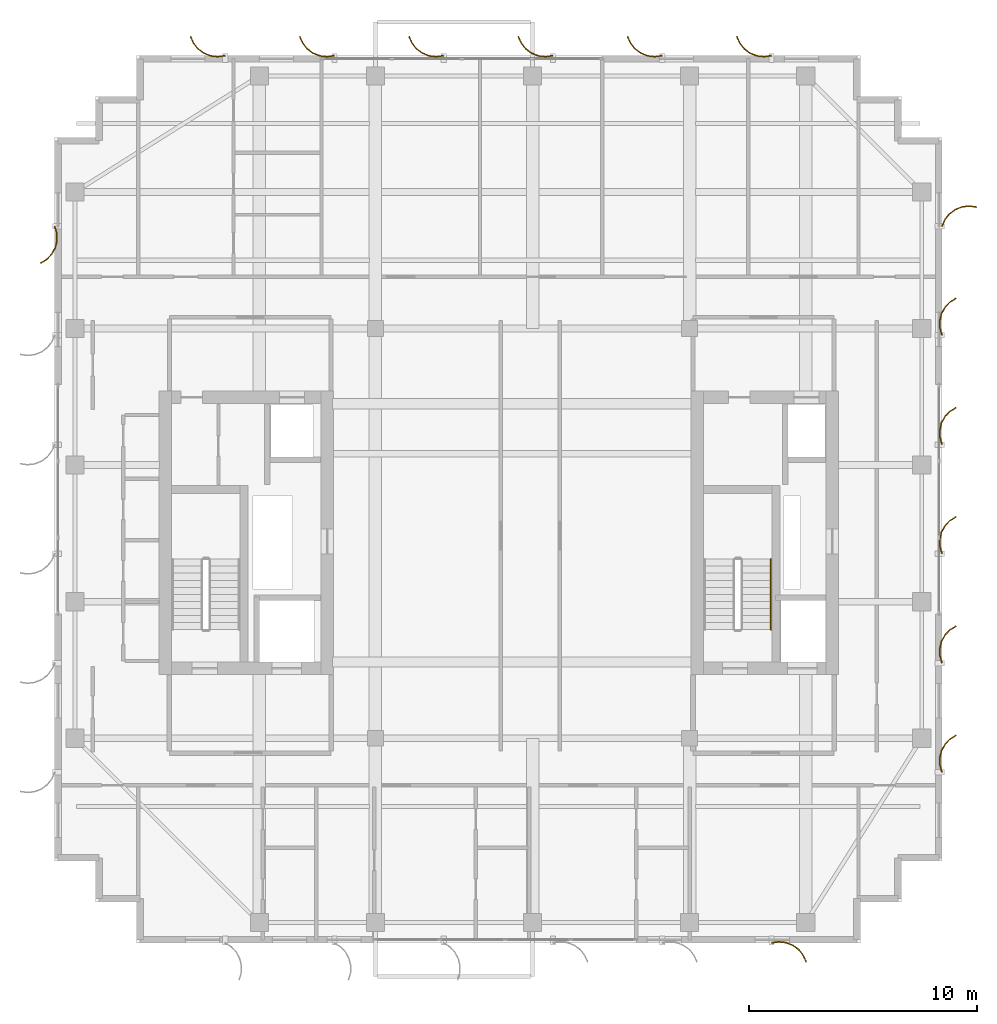
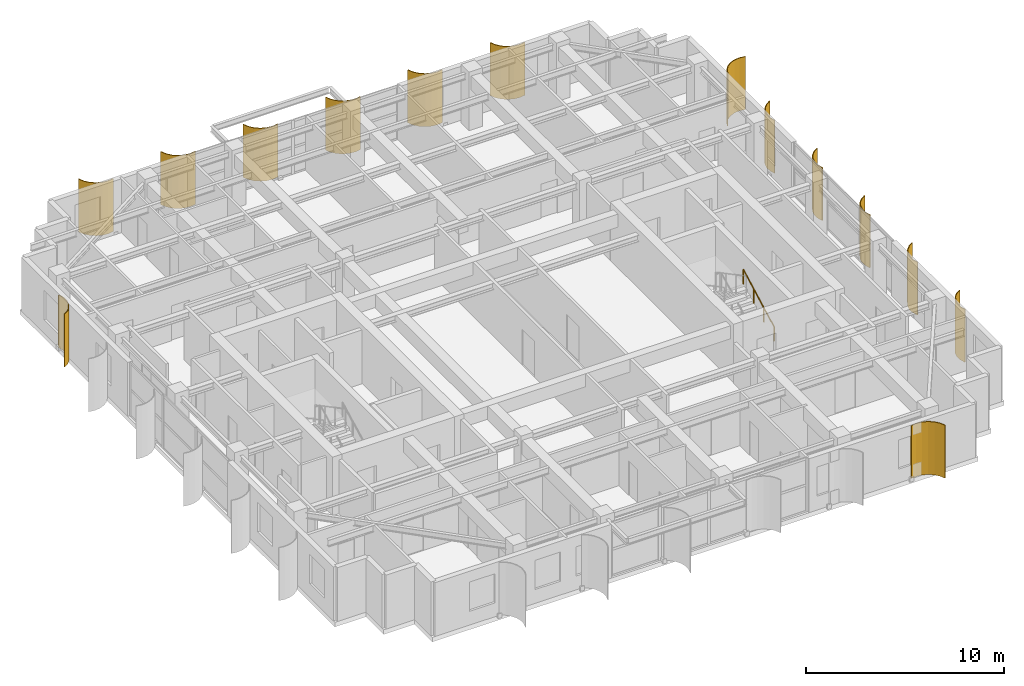
# One storey, part 23 of 23: 14 shading devices, 1 railing.
"""IFC4 building model written with IfcOpenShell, lengths in metres."""

from ifc_helpers import new_model, si_unit, direction, frame, origin, origin_2d, place, context, subcontext, project, spatial, polyline, circle, outline, extrude, source, transform, mapped, material, layer, layer_set, type_object, element, save


model = new_model("IFC4")

# Units and contexts
model_context = context("Model", 3, precision=1e-05, world=origin(), true_north=direction((0.0, 1.0)))
body_context = subcontext(model_context, "Body", "Model", "MODEL_VIEW")
ifc_project = project(units=[si_unit("LENGTHUNIT", "METRE"), si_unit("AREAUNIT", "SQUARE_METRE"), si_unit("VOLUMEUNIT", "CUBIC_METRE"), si_unit("PLANEANGLEUNIT", "RADIAN"), si_unit("MASSUNIT", "GRAM", prefix="KILO")], contexts=[model_context])

# Site, building, storey
site_placement = place(None, origin())
site = spatial("IfcSite", under=ifc_project, at=site_placement, CompositionType="ELEMENT")
building_placement = place(site_placement, origin())
building = spatial("IfcBuilding", under=site, at=building_placement, Name="Khoralis Quay Care Tower", CompositionType="ELEMENT")
storey_placement = place(building_placement, frame((0.0, 0.0, 270.89990234375)))
storey = spatial("IfcBuildingStorey", under=building, at=storey_placement, Name="L71", CompositionType="ELEMENT", Elevation=270.89990234375)

# Railing
ifc_material_1 = material(Name="Brushed stainless steel", Category="steel")
railing_type = type_object("IfcRailingType", Name="RL-HAND-900", PredefinedType="HANDRAIL", material=ifc_material_1)
railing_placement = place(storey_placement, frame((34.469970703125, 16.77001953125, 0.163818359375)))
element("IfcRailing", 1, at=railing_placement, inside=storey, type_object=railing_type, Name="L71 ST-T2 stair handrail 1", PredefinedType="HANDRAIL", context=body_context, shape_type="SweptSolid", body=[
    extrude(circle(Radius=0.02392578125, at=origin_2d()), frame((0.0, 0.0, 0.8759765625), z_axis=(0.0, 0.884376766648, 0.46677375099), x_axis=(-1.0, 0.0, 0.0)), (0.0, 0.0, 1.0), 3.50537109375),
    extrude(circle(Radius=0.02099609375, at=origin_2d()), origin(), (0.0, 0.0, 1.0), 0.851806640625),
    extrude(circle(Radius=0.02099609375, at=origin_2d()), frame((0.0, 1.033447265625, 0.54541015625)), (0.0, 0.0, 1.0), 0.851806640625),
    extrude(circle(Radius=0.02099609375, at=origin_2d()), frame((0.0, 2.066650390625, 1.0908203125)), (0.0, 0.0, 1.0), 0.851806640625),
    extrude(circle(Radius=0.02099609375, at=origin_2d()), frame((0.0, 3.10009765625, 1.63623046875)), (0.0, 0.0, 1.0), 0.851806640625),
])

# Shading devices
ifc_material_2 = material(Name="Brushed pale anodised aluminium", Category="aluminium")
ifc_layer = layer(ifc_material_2, 0.044921875)
ifc_layer_set = layer_set([ifc_layer], Name="Brushed pale anodised aluminium")
shading_device_type = type_object("IfcShadingDeviceType", Name="SHD-FIN-1250", PredefinedType="USERDEFINED", material=ifc_layer_set)
shared_shape_1 = source(origin(), body_context, "Body", "SweptSolid", [
    extrude(outline(polyline([(0.0, 0.0), (0.130126953125, 0.29931640625), (0.333251953125, 0.5546875), (0.595458984375, 0.748779296875), (0.899169921875, 0.868408203125), (1.223388671875, 0.9052734375), (1.546142578125, 0.85693359375), (1.53369140625, 0.813720703125), (1.22265625, 0.8603515625), (0.91015625, 0.82470703125), (0.617431640625, 0.70947265625), (0.364501953125, 0.522216796875), (0.168701171875, 0.276123046875), (0.043212890625, -0.012451171875), (0.0, 0.0)])), origin(), (0.0, 0.0, 1.0), 3.260009765625),
])
shading_device_placement = place(storey_placement, frame((41.969970703125, 34.5, 0.02001953125), z_axis=(0.0, 0.0, 1.0), x_axis=(1.0, 0.0, 0.0)))
element("IfcShadingDevice", 2, at=shading_device_placement, inside=storey, type_object=shading_device_type, Name="L71 Curved Solar Fin P1E5-06", ObjectType="FIN", PredefinedType="USERDEFINED", context=body_context, shape_type="MappedRepresentation", body=[
    mapped(shared_shape_1, transform((0.0, 0.0, 0.0), scale=1.0)),
])
shared_shape_2 = source(origin(), body_context, "Body", "SweptSolid", [
    extrude(outline(polyline([(0.0, 0.0), (-0.04833984375, 0.32275390625), (-0.01123046875, 0.64697265625), (0.1083984375, 0.950439453125), (0.302490234375, 1.212890625), (0.557861328125, 1.416015625), (0.85693359375, 1.546142578125), (0.869384765625, 1.5029296875), (0.5810546875, 1.37744140625), (0.334716796875, 1.181640625), (0.147705078125, 0.9287109375), (0.032470703125, 0.635986328125), (-0.003173828125, 0.323486328125), (0.043212890625, 0.012451171875), (0.0, 0.0)])), origin(), (0.0, 0.0, 1.0), 3.260009765625),
])
for number, where, z_axis, x_axis, name in (
    (3, (34.5, 3.030029296875, 0.02001953125), (0.0, 0.0, 1.0), (0.0, -1.0, 0.0), "L71 Curved Solar Fin P1E0-06"),
    (4, (34.5, 41.969970703125, 0.02001953125), (0.0, 0.0, 1.0), (0.0, 1.0, 0.0), "L71 Curved Solar Fin P1E10-01"),
    (5, (29.699951171875, 41.969970703125, 0.02001953125), (0.0, 0.0, 1.0), (0.0, 1.0, 0.0), "L71 Curved Solar Fin P1E10-02"),
    (6, (24.89990234375, 41.969970703125, 0.02001953125), (0.0, 0.0, 1.0), (0.0, 1.0, 0.0), "L71 Curved Solar Fin P1E10-03"),
    (7, (20.10009765625, 41.969970703125, 0.02001953125), (0.0, 0.0, 1.0), (0.0, 1.0, 0.0), "L71 Curved Solar Fin P1E10-04"),
    (8, (15.300048828125, 41.969970703125, 0.02001953125), (0.0, 0.0, 1.0), (0.0, 1.0, 0.0), "L71 Curved Solar Fin P1E10-05"),
    (9, (10.5, 41.969970703125, 0.02001953125), (0.0, 0.0, 1.0), (0.0, 1.0, 0.0), "L71 Curved Solar Fin P1E10-06"),
):
    element("IfcShadingDevice", number, at=place(storey_placement, frame(where, z_axis=z_axis, x_axis=x_axis)), inside=storey, type_object=shading_device_type, Name=name, ObjectType="FIN", PredefinedType="USERDEFINED", context=body_context, shape_type="MappedRepresentation", body=[
        mapped(shared_shape_2, transform((0.0, 0.0, 0.0), scale=1.0)),
    ])
shared_shape_3 = source(origin(), body_context, "Body", "SweptSolid", [
    extrude(outline(polyline([(0.0, 0.0), (-0.0927734375, 0.31298828125), (-0.101318359375, 0.63916015625), (-0.025146484375, 0.956298828125), (0.130615234375, 1.2431640625), (0.355224609375, 1.479736328125), (0.633544921875, 1.650390625), (0.65185546875, 1.609130859375), (0.383544921875, 1.44482421875), (0.1669921875, 1.216796875), (0.01708984375, 0.940185546875), (-0.056396484375, 0.63427734375), (-0.04833984375, 0.31982421875), (0.041015625, 0.018310546875), (0.0, 0.0)])), origin(), (0.0, 0.0, 1.0), 3.260009765625),
])
for number, where, z_axis, x_axis, name in (
    (10, (41.969970703125, 10.5, 0.02001953125), (0.0, 0.0, 1.0), (1.0, 0.0, 0.0), "L71 Curved Solar Fin P1E5-01"),
    (11, (41.969970703125, 15.300048828125, 0.02001953125), (0.0, 0.0, 1.0), (1.0, 0.0, 0.0), "L71 Curved Solar Fin P1E5-02"),
    (12, (41.969970703125, 20.10009765625, 0.02001953125), (0.0, 0.0, 1.0), (1.0, 0.0, 0.0), "L71 Curved Solar Fin P1E5-03"),
    (13, (41.969970703125, 24.89990234375, 0.02001953125), (0.0, 0.0, 1.0), (1.0, 0.0, 0.0), "L71 Curved Solar Fin P1E5-04"),
    (14, (41.969970703125, 29.699951171875, 0.02001953125), (0.0, 0.0, 1.0), (1.0, 0.0, 0.0), "L71 Curved Solar Fin P1E5-05"),
    (15, (3.030029296875, 34.5, 0.02001953125), (0.0, 0.0, 1.0), (-1.0, 0.0, 0.0), "L71 Curved Solar Fin P1E15-01"),
):
    element("IfcShadingDevice", number, at=place(storey_placement, frame(where, z_axis=z_axis, x_axis=x_axis)), inside=storey, type_object=shading_device_type, Name=name, ObjectType="FIN", PredefinedType="USERDEFINED", context=body_context, shape_type="MappedRepresentation", body=[
        mapped(shared_shape_3, transform((0.0, 0.0, 0.0), scale=1.0)),
    ])

save(model, "model.ifc")
